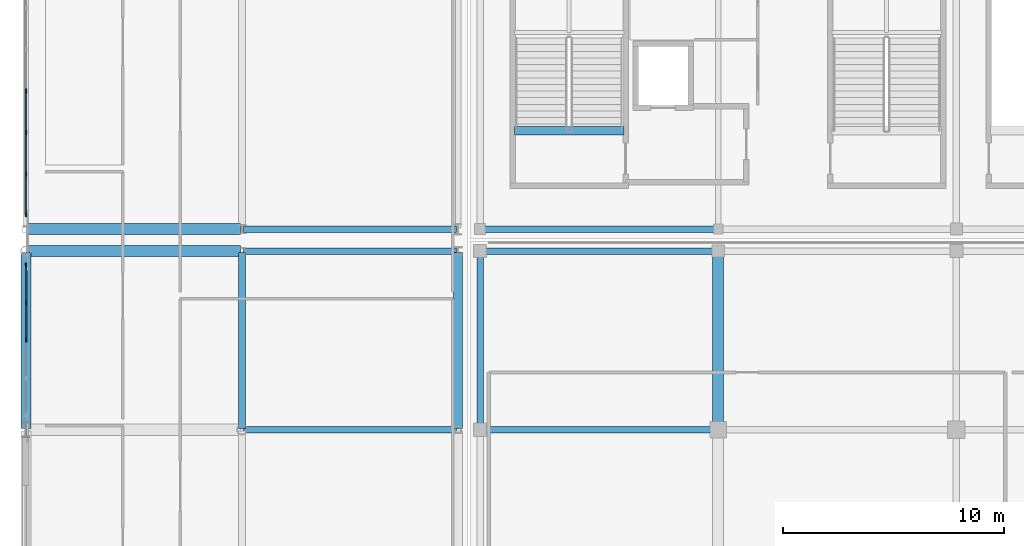
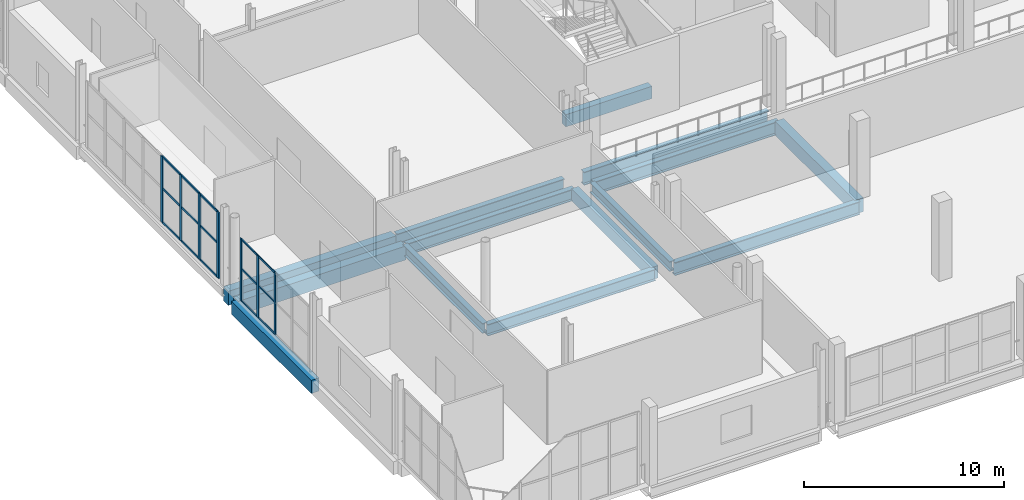
# One storey, part 14 of 129: 22 members, 14 beams, 2 elements without a shape of their own.
"""IFC4 building model written with IfcOpenShell, lengths in metres."""

import ifcopenshell
import ifcopenshell.guid

model = None  # the IFC model being written
_history = None  # IfcOwnerHistory: only IFC2X3 demands one
_inside = {}  # id of a spatial element -> (the spatial element, [elements in it])
_under = {}  # id of a project, library or spatial element -> (it, [spatial elements below it])
_declared = {}  # id of a project -> (the project, [libraries it declares])
_typed = {}  # id of a type object -> (the type object, [elements of that type])
_made_of = {}  # id of a material, layer set ... -> (it, [elements and type objects made of it])


def new_model(schema):
    """Start an empty IFC model of exactly this schema.

    Asked for "IFC4X3", IfcOpenShell would pick the latest addendum, in which some entities
    have other attributes; the version numbers below select the first issue.
    IFC2X3 requires an IfcOwnerHistory on every rooted entity: one is made here for all.
    """
    global model, _history
    if schema == "IFC4X3":
        model = ifcopenshell.file(schema_version=(4, 3, 0, 0))
    else:
        model = ifcopenshell.file(schema=schema)
    _inside.clear()
    _under.clear()
    _declared.clear()
    _typed.clear()
    _made_of.clear()
    _history = None
    if model.schema == "IFC2X3":
        org = make("IfcOrganization", Name="unknown")
        user = make(
            "IfcPersonAndOrganization",
            ThePerson=make("IfcPerson", FamilyName="unknown"),
            TheOrganization=org,
        )
        app = make(
            "IfcApplication",
            ApplicationDeveloper=org,
            Version="unknown",
            ApplicationFullName="unknown",
            ApplicationIdentifier="unknown",
        )
        _history = make(
            "IfcOwnerHistory",
            OwningUser=user,
            OwningApplication=app,
            ChangeAction="ADDED",
            CreationDate=0,
        )
    return model


def make(cls, **values):
    """One entity of the class cls with the attributes given. An attribute that is None is left unset."""
    return model.create_entity(
        cls, **{name: value for name, value in values.items() if value is not None}
    )


def rooted(cls, **values):
    """An entity with a GlobalId (a new one), such as an element, a storey or a relation."""
    return make(cls, GlobalId=ifcopenshell.guid.new(), OwnerHistory=_history, **values)


def si_unit(unit_type, name, prefix=None):
    """IfcSIUnit, for example si_unit("LENGTHUNIT", "METRE", prefix="MILLI")."""
    return make("IfcSIUnit", UnitType=unit_type, Prefix=prefix, Name=name)


def assignment(units):
    """IfcUnitAssignment: the units of a project."""
    return None if units is None else make("IfcUnitAssignment", Units=units)


def point(xyz):
    """IfcCartesianPoint."""
    return None if xyz is None else make("IfcCartesianPoint", Coordinates=xyz)


def direction(xyz):
    """IfcDirection."""
    return None if xyz is None else make("IfcDirection", DirectionRatios=xyz)


def frame(location, z_axis=None, x_axis=None):
    """IfcAxis2Placement3D, a coordinate frame: its origin and axes. An axis left out is left unset."""
    return make(
        "IfcAxis2Placement3D",
        Location=point(location),
        Axis=direction(z_axis),
        RefDirection=direction(x_axis),
    )


def frame_2d(location, x_axis=None):
    """IfcAxis2Placement2D, a coordinate frame in the plane: its origin and x axis."""
    return make(
        "IfcAxis2Placement2D", Location=point(location), RefDirection=direction(x_axis)
    )


def origin():
    """The frame at (0, 0, 0) with its axes left unset."""
    return frame((0.0, 0.0, 0.0))


def origin_2d():
    """The frame at (0, 0) in the plane with its x axis left unset."""
    return frame_2d((0.0, 0.0))


def place(relative_to, where):
    """IfcLocalPlacement: puts the frame where relative to a parent placement (None: the world)."""
    return make(
        "IfcLocalPlacement", PlacementRelTo=relative_to, RelativePlacement=where
    )


def context(
    kind, dimensions, precision=None, world=None, true_north=None, identifier=None
):
    """IfcGeometricRepresentationContext, for example the 3D "Model" context."""
    return make(
        "IfcGeometricRepresentationContext",
        ContextIdentifier=identifier,
        ContextType=kind,
        CoordinateSpaceDimension=dimensions,
        Precision=precision,
        WorldCoordinateSystem=world,
        TrueNorth=true_north,
    )


def subcontext(parent, identifier, kind, view, scale=None):
    """IfcGeometricRepresentationSubContext, for example "Body" below "Model"."""
    return make(
        "IfcGeometricRepresentationSubContext",
        ContextIdentifier=identifier,
        ContextType=kind,
        ParentContext=parent,
        TargetScale=scale,
        TargetView=view,
    )


def project(units=None, contexts=None):
    """IfcProject with its units and contexts."""
    return rooted(
        "IfcProject",
        Name="project",
        RepresentationContexts=contexts,
        UnitsInContext=assignment(units),
    )


def spatial(cls, under=None, at=None, **own):
    """A site, building, storey or space (cls), placed at a placement, below another one or the project."""
    s = rooted(cls, ObjectPlacement=at, **own)
    if under is not None:
        _under.setdefault(under.id(), (under, []))[1].append(s)
    return s


def profile(cls, at=None, kind="AREA", **sizes):
    """A parametric profile (cls). Its sizes go by their IFC names, for example OverallWidth=200.0."""
    return make(cls, ProfileType=kind, Position=at, **sizes)


def rectangle(**sizes):
    """IfcRectangleProfileDef."""
    return profile("IfcRectangleProfileDef", **sizes)


def i_section(**sizes):
    """IfcIShapeProfileDef."""
    return profile("IfcIShapeProfileDef", **sizes)


def extrude(swept, where, along, depth):
    """IfcExtrudedAreaSolid: the profile swept, set in the frame where, extruded along a direction by depth."""
    return make(
        "IfcExtrudedAreaSolid",
        SweptArea=swept,
        Position=where,
        ExtrudedDirection=direction(along),
        Depth=depth,
    )


def shape(context_of_items, identifier, shape_type, items):
    """IfcShapeRepresentation: the items that make up one representation, for example the "Body"."""
    return make(
        "IfcShapeRepresentation",
        ContextOfItems=context_of_items,
        RepresentationIdentifier=identifier,
        RepresentationType=shape_type,
        Items=items,
    )


def material(Name=None, Category=None):
    """IfcMaterial."""
    return make("IfcMaterial", Name=Name, Category=Category)


def material_profile(
    of_material, cross_section, Name=None, Category=None, Priority=None
):
    """IfcMaterialProfile: a cross section and its material."""
    return make(
        "IfcMaterialProfile",
        Name=Name,
        Material=of_material,
        Profile=cross_section,
        Priority=Priority,
        Category=Category,
    )


def profile_set(profiles, Name=None, composite=None):
    """IfcMaterialProfileSet."""
    return make(
        "IfcMaterialProfileSet",
        Name=Name,
        MaterialProfiles=profiles,
        CompositeProfile=composite,
    )


def made_of(thing, what):
    """Note that an element or type object is made of a material, layer set ...; save() writes the relation."""
    if what is not None:
        _made_of.setdefault(what.id(), (what, []))[1].append(thing)
    return thing


def type_object(cls, material=None, **own):
    """A type object (cls), such as IfcWallType, which elements share."""
    return made_of(rooted(cls, **own), material)


def element(
    cls,
    number,
    at=None,
    inside=None,
    cuts=None,
    type_object=None,
    material=None,
    context=None,
    identifier="Body",
    shape_type=None,
    held_by="IfcProductDefinitionShape",
    body=None,
    shapes=None,
    **own,
):
    """One element of the class cls, such as IfcWall. Its Tag is "e" and its number.

    at: its placement. inside: the storey or other place that contains it. cuts: it is an
    opening in that element (IfcRelVoidsElement). A single representation is given by context,
    identifier, shape_type and body (its items); several are given by shapes. held_by: the class
    of the entity that holds the representations. save() writes the other relations.
    """
    e = rooted(cls, Tag="e%d" % number, ObjectPlacement=at, **own)
    if body is not None:
        shapes = [shape(context, identifier, shape_type, body)]
    if shapes is not None:
        e.Representation = make(held_by, Representations=shapes)
    if inside is not None:
        _inside.setdefault(inside.id(), (inside, []))[1].append(e)
    if cuts is not None:
        rooted(
            "IfcRelVoidsElement", RelatingBuildingElement=cuts, RelatedOpeningElement=e
        )
    if type_object is not None:
        _typed.setdefault(type_object.id(), (type_object, []))[1].append(e)
    return made_of(e, material)


def aggregate(whole, parts):
    """IfcRelAggregates: a whole, such as a stair, and the parts it consists of."""
    return rooted("IfcRelAggregates", RelatingObject=whole, RelatedObjects=parts)


def save(model, path):
    """Write the relations noted so far, then the file.

    IfcRelAggregates (storeys below a building ...), IfcRelContainedInSpatialStructure (elements
    in a storey), IfcRelDefinesByType, IfcRelAssociatesMaterial and IfcRelDeclares: one each for
    every whole, place, type object, material and project.
    """
    for whole, parts in _under.values():
        aggregate(whole, parts)
    for where, things in _inside.values():
        rooted(
            "IfcRelContainedInSpatialStructure",
            RelatedElements=things,
            RelatingStructure=where,
        )
    for kind, things in _typed.values():
        rooted("IfcRelDefinesByType", RelatedObjects=things, RelatingType=kind)
    for what, things in _made_of.values():
        rooted("IfcRelAssociatesMaterial", RelatedObjects=things, RelatingMaterial=what)
    for by, libraries in _declared.values():
        rooted("IfcRelDeclares", RelatingContext=by, RelatedDefinitions=libraries)
    model.write(path)


model = new_model("IFC4")

# Units and contexts
model_context = context("Model", 3, precision=1e-05, world=origin(), true_north=direction((0.0, 1.0)))
body_context = subcontext(model_context, "Body", "Model", "MODEL_VIEW")
ifc_project = project(units=[si_unit("LENGTHUNIT", "METRE"), si_unit("AREAUNIT", "SQUARE_METRE"), si_unit("VOLUMEUNIT", "CUBIC_METRE"), si_unit("PLANEANGLEUNIT", "RADIAN"), si_unit("MASSUNIT", "GRAM", prefix="KILO")], contexts=[model_context])

# Site, building, storey
site_placement = place(None, origin())
site = spatial("IfcSite", under=ifc_project, at=site_placement, CompositionType="ELEMENT")
building_placement = place(site_placement, origin())
building = spatial("IfcBuilding", under=site, at=building_placement, Name="Koshinbarg Plaza Stadium", CompositionType="ELEMENT")
storey_placement = place(building_placement, frame((0.0, 0.0, 5.39990234375)))
storey = spatial("IfcBuildingStorey", under=building, at=storey_placement, Name="L01", CompositionType="ELEMENT", Elevation=5.39990234375)

# Beams
ifc_material_1 = material(Name="Concrete C40/50", Category="concrete")
ifc_material_profile_1 = material_profile(ifc_material_1, rectangle(XDim=0.39990234375, YDim=0.75, at=origin_2d()), Name="RC 400x750")
ifc_profile_set_1 = profile_set([ifc_material_profile_1], Name="Concrete C40/50")
beam_type_1 = type_object("IfcBeamType", Name="BM-RCG-03", PredefinedType="USERDEFINED", material=ifc_profile_set_1)
beam_1_placement = place(storey_placement, frame((23.60009765625, 16.4599609375, -0.69482421875), z_axis=(0.0, 1.0, 0.0), x_axis=(-1.0, 0.0, 0.0)))
element("IfcBeam", 1, at=beam_1_placement, inside=storey, type_object=beam_type_1, Name="L01 Y girder 4/C-D", ObjectType="GIRDER", PredefinedType="USERDEFINED", context=body_context, shape_type="SweptSolid", body=[
    extrude(rectangle(XDim=0.39990234375, YDim=0.75, at=origin_2d()), origin(), (0.0, 0.0, 1.0), 7.97998046875),
])
beam_2_placement = place(storey_placement, frame((26.14990234375, 29.9599609375, -0.375), z_axis=(1.0, 0.0, 0.0), x_axis=(0.0, 1.0, 0.0)))
element("IfcBeam", 2, at=beam_2_placement, inside=storey, type_object=beam_type_1, Name="L01 stair landing header beam C01", ObjectType="GIRDER", PredefinedType="USERDEFINED", context=body_context, shape_type="SweptSolid", body=[
    extrude(rectangle(XDim=0.39990234375, YDim=0.75, at=origin_2d()), origin(), (0.0, 0.0, 1.0), 4.97021484375),
])
ifc_material_profile_2 = material_profile(ifc_material_1, rectangle(XDim=0.449951171875, YDim=0.800048828125, at=origin_2d()), Name="RC 450x800")
ifc_profile_set_2 = profile_set([ifc_material_profile_2], Name="Concrete C40/50")
beam_type_2 = type_object("IfcBeamType", Name="BM-RCG-04", PredefinedType="USERDEFINED", material=ifc_profile_set_2)
beam_3_placement = place(storey_placement, frame((4.0, 16.4599609375, -0.719970703125), z_axis=(0.0, 1.0, 0.0), x_axis=(-1.0, 0.0, 0.0)))
element("IfcBeam", 3, at=beam_3_placement, inside=storey, type_object=beam_type_2, Name="L01 Y girder 2/C-D", ObjectType="GIRDER", PredefinedType="USERDEFINED", context=body_context, shape_type="SweptSolid", body=[
    extrude(rectangle(XDim=0.449951171875, YDim=0.800048828125, at=origin_2d()), origin(), (0.0, 0.0, 1.0), 7.97998046875),
])
ifc_material_profile_3 = material_profile(ifc_material_1, rectangle(XDim=0.5, YDim=0.85009765625, at=origin_2d()), Name="RC 500x850")
ifc_profile_set_3 = profile_set([ifc_material_profile_3], Name="Concrete C40/50")
beam_type_3 = type_object("IfcBeamType", Name="BM-RCG-05", PredefinedType="USERDEFINED", material=ifc_profile_set_3)
for number, where, z_axis, x_axis, name in (
    (4, (4.06005859375, 24.5, -0.744873046875), (1.0, 0.0, 0.0), (0.0, 1.0, 0.0), "L01 X girder D/2-3"),
    (5, (4.06005859375, 25.5, -0.744873046875), (1.0, 0.0, 0.0), (0.0, 1.0, 0.0), "L01 X girder E/2-3"),
):
    element("IfcBeam", number, at=place(storey_placement, frame(where, z_axis=z_axis, x_axis=x_axis)), inside=storey, type_object=beam_type_3, Name=name, ObjectType="GIRDER", PredefinedType="USERDEFINED", context=body_context, shape_type="SweptSolid", body=[
        extrude(rectangle(XDim=0.5, YDim=0.85009765625, at=origin_2d()), origin(), (0.0, 0.0, 1.0), 9.679931640625),
    ])
beam_4_placement = place(storey_placement, frame((35.39990234375, 16.4599609375, -0.744873046875), z_axis=(0.0, 1.0, 0.0), x_axis=(-1.0, 0.0, 0.0)))
element("IfcBeam", 6, at=beam_4_placement, inside=storey, type_object=beam_type_3, Name="L01 Y girder 6/C-D", ObjectType="GIRDER", PredefinedType="USERDEFINED", context=body_context, shape_type="SweptSolid", body=[
    extrude(rectangle(XDim=0.5, YDim=0.85009765625, at=origin_2d()), origin(), (0.0, 0.0, 1.0), 7.97998046875),
])
ifc_material_2 = material(Name="Steel S355", Category="steel")
ifc_material_profile_4 = material_profile(ifc_material_2, i_section(OverallWidth=0.300048828125, OverallDepth=0.60009765625, WebThickness=0.015380859375, FlangeThickness=0.030029296875, at=origin_2d()), Name="HEB 600")
ifc_profile_set_4 = profile_set([ifc_material_profile_4], Name="Steel S355")
beam_type_4 = type_object("IfcBeamType", Name="BM-SGIR-02", PredefinedType="USERDEFINED", material=ifc_profile_set_4)
for number, where, z_axis, x_axis, name in (
    (7, (13.800048828125, 16.4599609375, -0.619873046875), (0.0, 1.0, 0.0), (-1.0, 0.0, 0.0), "L01 Y girder 3/C-D"),
    (8, (24.60009765625, 16.4599609375, -0.619873046875), (0.0, 1.0, 0.0), (-1.0, 0.0, 0.0), "L01 Y girder 5/C-D"),
):
    element("IfcBeam", number, at=place(storey_placement, frame(where, z_axis=z_axis, x_axis=x_axis)), inside=storey, type_object=beam_type_4, Name=name, ObjectType="GIRDER", PredefinedType="USERDEFINED", context=body_context, shape_type="SweptSolid", body=[
        extrude(i_section(OverallWidth=0.300048828125, OverallDepth=0.60009765625, WebThickness=0.015380859375, FlangeThickness=0.030029296875, at=origin_2d()), origin(), (0.0, 0.0, 1.0), 7.97998046875),
    ])
ifc_material_profile_5 = material_profile(ifc_material_2, i_section(OverallWidth=0.300048828125, OverallDepth=0.699951171875, WebThickness=0.01708984375, FlangeThickness=0.031982421875, at=origin_2d()), Name="HEB 700")
ifc_profile_set_5 = profile_set([ifc_material_profile_5], Name="Steel S355")
beam_type_5 = type_object("IfcBeamType", Name="BM-SGIR-03", PredefinedType="USERDEFINED", material=ifc_profile_set_5)
for number, where, z_axis, x_axis, name in (
    (9, (13.860107421875, 16.39990234375, -0.669921875), (1.0, 0.0, 0.0), (0.0, 1.0, 0.0), "L01 X girder C/3-4"),
    (10, (13.860107421875, 24.5, -0.669921875), (1.0, 0.0, 0.0), (0.0, 1.0, 0.0), "L01 X girder D/3-4"),
    (11, (13.860107421875, 25.5, -0.669921875), (1.0, 0.0, 0.0), (0.0, 1.0, 0.0), "L01 X girder E/3-4"),
):
    element("IfcBeam", number, at=place(storey_placement, frame(where, z_axis=z_axis, x_axis=x_axis)), inside=storey, type_object=beam_type_5, Name=name, ObjectType="GIRDER", PredefinedType="USERDEFINED", context=body_context, shape_type="SweptSolid", body=[
        extrude(i_section(OverallWidth=0.300048828125, OverallDepth=0.699951171875, WebThickness=0.01708984375, FlangeThickness=0.031982421875, at=origin_2d()), origin(), (0.0, 0.0, 1.0), 9.679931640625),
    ])
ifc_material_profile_6 = material_profile(ifc_material_2, i_section(OverallWidth=0.300048828125, OverallDepth=0.800048828125, WebThickness=0.017578125, FlangeThickness=0.032958984375, at=origin_2d()), Name="HEB 800")
ifc_profile_set_6 = profile_set([ifc_material_profile_6], Name="Steel S355")
beam_type_6 = type_object("IfcBeamType", Name="BM-SGIR-04", PredefinedType="USERDEFINED", material=ifc_profile_set_6)
for number, where, z_axis, x_axis, name in (
    (12, (24.659912109375, 16.39990234375, -0.719970703125), (1.0, 0.0, 0.0), (0.0, 1.0, 0.0), "L01 X girder C/5-6"),
    (13, (24.659912109375, 24.5, -0.719970703125), (1.0, 0.0, 0.0), (0.0, 1.0, 0.0), "L01 X girder D/5-6"),
    (14, (24.659912109375, 25.5, -0.719970703125), (1.0, 0.0, 0.0), (0.0, 1.0, 0.0), "L01 X girder E/5-6"),
):
    element("IfcBeam", number, at=place(storey_placement, frame(where, z_axis=z_axis, x_axis=x_axis)), inside=storey, type_object=beam_type_6, Name=name, ObjectType="GIRDER", PredefinedType="USERDEFINED", context=body_context, shape_type="SweptSolid", body=[
        extrude(i_section(OverallWidth=0.300048828125, OverallDepth=0.800048828125, WebThickness=0.017578125, FlangeThickness=0.032958984375, at=origin_2d()), origin(), (0.0, 0.0, 1.0), 10.68017578125),
    ])

# Curtain wall, members
ifc_material_3 = material(Name="Thermally broken anodised aluminium and low-E double glazing", Category="aluminium")
curtain_wall_type_1 = type_object("IfcCurtainWallType", Name="CW-SYS-03", PredefinedType="NOTDEFINED", material=ifc_material_3)
curtain_wall_1_placement = place(storey_placement, origin())
curtain_wall_1 = element("IfcCurtainWall", 15, at=curtain_wall_1_placement, inside=storey, type_object=curtain_wall_type_1, Name="L01 unitised curtain wall CW-L01-002", PredefinedType="NOTDEFINED")
ifc_material_4 = material(Name="Anodised aluminium mullion", Category="aluminium")
ifc_material_profile_7 = material_profile(ifc_material_4, rectangle(XDim=0.070068359375, YDim=0.179931640625, at=origin_2d()), Name="ALU 70x180")
ifc_profile_set_7 = profile_set([ifc_material_profile_7], Name="Anodised aluminium mullion")
member_type_1 = type_object("IfcMemberType", Name="CW-MUL-03", PredefinedType="MULLION", material=ifc_profile_set_7)
member_1_placement = place(storey_placement, frame((4.0, 20.449951171875, 0.0), z_axis=(0.0, 0.0, 1.0), x_axis=(-1.0, 0.0, 0.0)))
member_1 = element("IfcMember", 16, at=member_1_placement, type_object=member_type_1, Name="CW03 mullion 3", PredefinedType="MULLION", context=body_context, shape_type="SweptSolid", body=[
    extrude(rectangle(XDim=0.070068359375, YDim=0.179931640625, at=origin_2d()), origin(), (0.0, 0.0, 1.0), 3.780029296875),
])
member_2_placement = place(storey_placement, frame((4.0, 22.1650390625, 0.0), z_axis=(0.0, 0.0, 1.0), x_axis=(-1.0, 0.0, 0.0)))
member_2 = element("IfcMember", 17, at=member_2_placement, type_object=member_type_1, Name="CW03 mullion 4", PredefinedType="MULLION", context=body_context, shape_type="SweptSolid", body=[
    extrude(rectangle(XDim=0.070068359375, YDim=0.179931640625, at=origin_2d()), origin(), (0.0, 0.0, 1.0), 3.780029296875),
])
member_3_placement = place(storey_placement, frame((4.0, 23.85009765625, 0.0), z_axis=(0.0, 0.0, 1.0), x_axis=(-1.0, 0.0, 0.0)))
member_3 = element("IfcMember", 18, at=member_3_placement, type_object=member_type_1, Name="CW03 mullion 5", PredefinedType="MULLION", context=body_context, shape_type="SweptSolid", body=[
    extrude(rectangle(XDim=0.070068359375, YDim=0.179931640625, at=origin_2d()), origin(), (0.0, 0.0, 1.0), 3.780029296875),
])

curtain_wall_type_2 = type_object("IfcCurtainWallType", Name="CW-SYS-04", PredefinedType="NOTDEFINED", material=ifc_material_3)
curtain_wall_2_placement = place(storey_placement, origin())
curtain_wall_2 = element("IfcCurtainWall", 19, at=curtain_wall_2_placement, inside=storey, type_object=curtain_wall_type_2, Name="L01 unitised curtain wall CW-L01-003", PredefinedType="NOTDEFINED")
ifc_material_profile_8 = material_profile(ifc_material_4, rectangle(XDim=0.070068359375, YDim=0.199951171875, at=origin_2d()), Name="ALU 70x200")
ifc_profile_set_8 = profile_set([ifc_material_profile_8], Name="Anodised aluminium mullion")
member_type_2 = type_object("IfcMemberType", Name="CW-MUL-04", PredefinedType="MULLION", material=ifc_profile_set_8)
member_4_placement = place(storey_placement, frame((4.0, 26.14990234375, 0.0), z_axis=(0.0, 0.0, 1.0), x_axis=(-1.0, 0.0, 0.0)))
member_4 = element("IfcMember", 20, at=member_4_placement, type_object=member_type_2, Name="CW04 mullion 1", PredefinedType="MULLION", context=body_context, shape_type="SweptSolid", body=[
    extrude(rectangle(XDim=0.070068359375, YDim=0.199951171875, at=origin_2d()), origin(), (0.0, 0.0, 1.0), 4.030029296875),
])
member_5_placement = place(storey_placement, frame((4.0, 28.0, 0.0), z_axis=(0.0, 0.0, 1.0), x_axis=(-1.0, 0.0, 0.0)))
member_5 = element("IfcMember", 21, at=member_5_placement, type_object=member_type_2, Name="CW04 mullion 2", PredefinedType="MULLION", context=body_context, shape_type="SweptSolid", body=[
    extrude(rectangle(XDim=0.070068359375, YDim=0.199951171875, at=origin_2d()), origin(), (0.0, 0.0, 1.0), 4.030029296875),
])
member_6_placement = place(storey_placement, frame((4.0, 29.8798828125, 0.0), z_axis=(0.0, 0.0, 1.0), x_axis=(-1.0, 0.0, 0.0)))
member_6 = element("IfcMember", 22, at=member_6_placement, type_object=member_type_2, Name="CW04 mullion 3", PredefinedType="MULLION", context=body_context, shape_type="SweptSolid", body=[
    extrude(rectangle(XDim=0.070068359375, YDim=0.199951171875, at=origin_2d()), origin(), (0.0, 0.0, 1.0), 4.030029296875),
])
member_7_placement = place(storey_placement, frame((4.0, 31.760009765625, 0.0), z_axis=(0.0, 0.0, 1.0), x_axis=(-1.0, 0.0, 0.0)))
member_7 = element("IfcMember", 23, at=member_7_placement, type_object=member_type_2, Name="CW04 mullion 4", PredefinedType="MULLION", context=body_context, shape_type="SweptSolid", body=[
    extrude(rectangle(XDim=0.070068359375, YDim=0.199951171875, at=origin_2d()), origin(), (0.0, 0.0, 1.0), 4.030029296875),
])

# Member
ifc_material_5 = material(Name="Anodised aluminium transom", Category="aluminium")
ifc_material_profile_9 = material_profile(ifc_material_5, rectangle(XDim=0.06005859375, YDim=0.110107421875, at=origin_2d()), Name="ALU 60x110")
ifc_profile_set_9 = profile_set([ifc_material_profile_9], Name="Anodised aluminium transom")
member_type_3 = type_object("IfcMemberType", Name="CW-TRN-01", PredefinedType="USERDEFINED", material=ifc_profile_set_9)
member_8_placement = place(storey_placement, frame((4.0, 20.47998046875, 0.030029296875), z_axis=(0.0, 1.0, 0.0), x_axis=(-1.0, 0.0, 0.0)))
member_8 = element("IfcMember", 24, at=member_8_placement, type_object=member_type_3, Name="CW03 transom 3.1", ObjectType="TRANSOM", PredefinedType="USERDEFINED", context=body_context, shape_type="SweptSolid", body=[
    extrude(rectangle(XDim=0.06005859375, YDim=0.110107421875, at=origin_2d()), origin(), (0.0, 0.0, 1.0), 1.655029296875),
])

member_9_placement = place(storey_placement, frame((4.0, 20.47998046875, 1.965576171875), z_axis=(0.0, 1.0, 0.0), x_axis=(-1.0, 0.0, 0.0)))
member_9 = element("IfcMember", 25, at=member_9_placement, type_object=member_type_3, Name="CW03 transom 3.2", ObjectType="TRANSOM", PredefinedType="USERDEFINED", context=body_context, shape_type="SweptSolid", body=[
    extrude(rectangle(XDim=0.06005859375, YDim=0.110107421875, at=origin_2d()), origin(), (0.0, 0.0, 1.0), 1.655029296875),
])

member_10_placement = place(storey_placement, frame((4.0, 20.47998046875, 3.75), z_axis=(0.0, 1.0, 0.0), x_axis=(-1.0, 0.0, 0.0)))
member_10 = element("IfcMember", 26, at=member_10_placement, type_object=member_type_3, Name="CW03 transom 3.3", ObjectType="TRANSOM", PredefinedType="USERDEFINED", context=body_context, shape_type="SweptSolid", body=[
    extrude(rectangle(XDim=0.06005859375, YDim=0.110107421875, at=origin_2d()), origin(), (0.0, 0.0, 1.0), 1.655029296875),
])

member_11_placement = place(storey_placement, frame((4.0, 22.195068359375, 0.030029296875), z_axis=(0.0, 1.0, 0.0), x_axis=(-1.0, 0.0, 0.0)))
member_11 = element("IfcMember", 27, at=member_11_placement, type_object=member_type_3, Name="CW03 transom 4.1", ObjectType="TRANSOM", PredefinedType="USERDEFINED", context=body_context, shape_type="SweptSolid", body=[
    extrude(rectangle(XDim=0.06005859375, YDim=0.110107421875, at=origin_2d()), origin(), (0.0, 0.0, 1.0), 1.625),
])

member_12_placement = place(storey_placement, frame((4.0, 22.195068359375, 1.965576171875), z_axis=(0.0, 1.0, 0.0), x_axis=(-1.0, 0.0, 0.0)))
member_12 = element("IfcMember", 28, at=member_12_placement, type_object=member_type_3, Name="CW03 transom 4.2", ObjectType="TRANSOM", PredefinedType="USERDEFINED", context=body_context, shape_type="SweptSolid", body=[
    extrude(rectangle(XDim=0.06005859375, YDim=0.110107421875, at=origin_2d()), origin(), (0.0, 0.0, 1.0), 1.625),
])

member_13_placement = place(storey_placement, frame((4.0, 22.195068359375, 3.75), z_axis=(0.0, 1.0, 0.0), x_axis=(-1.0, 0.0, 0.0)))
member_13 = element("IfcMember", 29, at=member_13_placement, type_object=member_type_3, Name="CW03 transom 4.3", ObjectType="TRANSOM", PredefinedType="USERDEFINED", context=body_context, shape_type="SweptSolid", body=[
    extrude(rectangle(XDim=0.06005859375, YDim=0.110107421875, at=origin_2d()), origin(), (0.0, 0.0, 1.0), 1.625),
])

aggregate(curtain_wall_1, [member_1, member_2, member_3, member_8, member_9, member_10, member_11, member_12, member_13])

ifc_material_profile_10 = material_profile(ifc_material_5, rectangle(XDim=0.06005859375, YDim=0.1298828125, at=origin_2d()), Name="ALU 60x130")
ifc_profile_set_10 = profile_set([ifc_material_profile_10], Name="Anodised aluminium transom")
member_type_4 = type_object("IfcMemberType", Name="CW-TRN-02", PredefinedType="USERDEFINED", material=ifc_profile_set_10)
member_14_placement = place(storey_placement, frame((4.0, 26.179931640625, 0.030029296875), z_axis=(0.0, 1.0, 0.0), x_axis=(-1.0, 0.0, 0.0)))
member_14 = element("IfcMember", 30, at=member_14_placement, type_object=member_type_4, Name="CW04 transom 1.1", ObjectType="TRANSOM", PredefinedType="USERDEFINED", context=body_context, shape_type="SweptSolid", body=[
    extrude(rectangle(XDim=0.06005859375, YDim=0.1298828125, at=origin_2d()), origin(), (0.0, 0.0, 1.0), 1.7900390625),
])

member_15_placement = place(storey_placement, frame((4.0, 26.179931640625, 2.095703125), z_axis=(0.0, 1.0, 0.0), x_axis=(-1.0, 0.0, 0.0)))
member_15 = element("IfcMember", 31, at=member_15_placement, type_object=member_type_4, Name="CW04 transom 1.2", ObjectType="TRANSOM", PredefinedType="USERDEFINED", context=body_context, shape_type="SweptSolid", body=[
    extrude(rectangle(XDim=0.06005859375, YDim=0.1298828125, at=origin_2d()), origin(), (0.0, 0.0, 1.0), 1.7900390625),
])

member_16_placement = place(storey_placement, frame((4.0, 26.179931640625, 4.0), z_axis=(0.0, 1.0, 0.0), x_axis=(-1.0, 0.0, 0.0)))
member_16 = element("IfcMember", 32, at=member_16_placement, type_object=member_type_4, Name="CW04 transom 1.3", ObjectType="TRANSOM", PredefinedType="USERDEFINED", context=body_context, shape_type="SweptSolid", body=[
    extrude(rectangle(XDim=0.06005859375, YDim=0.1298828125, at=origin_2d()), origin(), (0.0, 0.0, 1.0), 1.7900390625),
])

member_17_placement = place(storey_placement, frame((4.0, 28.030029296875, 0.030029296875), z_axis=(0.0, 1.0, 0.0), x_axis=(-1.0, 0.0, 0.0)))
member_17 = element("IfcMember", 33, at=member_17_placement, type_object=member_type_4, Name="CW04 transom 2.1", ObjectType="TRANSOM", PredefinedType="USERDEFINED", context=body_context, shape_type="SweptSolid", body=[
    extrude(rectangle(XDim=0.06005859375, YDim=0.1298828125, at=origin_2d()), origin(), (0.0, 0.0, 1.0), 1.820068359375),
])

member_18_placement = place(storey_placement, frame((4.0, 28.030029296875, 2.095703125), z_axis=(0.0, 1.0, 0.0), x_axis=(-1.0, 0.0, 0.0)))
member_18 = element("IfcMember", 34, at=member_18_placement, type_object=member_type_4, Name="CW04 transom 2.2", ObjectType="TRANSOM", PredefinedType="USERDEFINED", context=body_context, shape_type="SweptSolid", body=[
    extrude(rectangle(XDim=0.06005859375, YDim=0.1298828125, at=origin_2d()), origin(), (0.0, 0.0, 1.0), 1.820068359375),
])

member_19_placement = place(storey_placement, frame((4.0, 28.030029296875, 4.0), z_axis=(0.0, 1.0, 0.0), x_axis=(-1.0, 0.0, 0.0)))
member_19 = element("IfcMember", 35, at=member_19_placement, type_object=member_type_4, Name="CW04 transom 2.3", ObjectType="TRANSOM", PredefinedType="USERDEFINED", context=body_context, shape_type="SweptSolid", body=[
    extrude(rectangle(XDim=0.06005859375, YDim=0.1298828125, at=origin_2d()), origin(), (0.0, 0.0, 1.0), 1.820068359375),
])

member_20_placement = place(storey_placement, frame((4.0, 29.909912109375, 0.030029296875), z_axis=(0.0, 1.0, 0.0), x_axis=(-1.0, 0.0, 0.0)))
member_20 = element("IfcMember", 36, at=member_20_placement, type_object=member_type_4, Name="CW04 transom 3.1", ObjectType="TRANSOM", PredefinedType="USERDEFINED", context=body_context, shape_type="SweptSolid", body=[
    extrude(rectangle(XDim=0.06005859375, YDim=0.1298828125, at=origin_2d()), origin(), (0.0, 0.0, 1.0), 1.820068359375),
])

member_21_placement = place(storey_placement, frame((4.0, 29.909912109375, 2.095703125), z_axis=(0.0, 1.0, 0.0), x_axis=(-1.0, 0.0, 0.0)))
member_21 = element("IfcMember", 37, at=member_21_placement, type_object=member_type_4, Name="CW04 transom 3.2", ObjectType="TRANSOM", PredefinedType="USERDEFINED", context=body_context, shape_type="SweptSolid", body=[
    extrude(rectangle(XDim=0.06005859375, YDim=0.1298828125, at=origin_2d()), origin(), (0.0, 0.0, 1.0), 1.820068359375),
])

member_22_placement = place(storey_placement, frame((4.0, 29.909912109375, 4.0), z_axis=(0.0, 1.0, 0.0), x_axis=(-1.0, 0.0, 0.0)))
member_22 = element("IfcMember", 38, at=member_22_placement, type_object=member_type_4, Name="CW04 transom 3.3", ObjectType="TRANSOM", PredefinedType="USERDEFINED", context=body_context, shape_type="SweptSolid", body=[
    extrude(rectangle(XDim=0.06005859375, YDim=0.1298828125, at=origin_2d()), origin(), (0.0, 0.0, 1.0), 1.820068359375),
])

aggregate(curtain_wall_2, [member_4, member_5, member_6, member_7, member_14, member_15, member_16, member_17, member_18, member_19, member_20, member_21, member_22])

save(model, "model.ifc")
